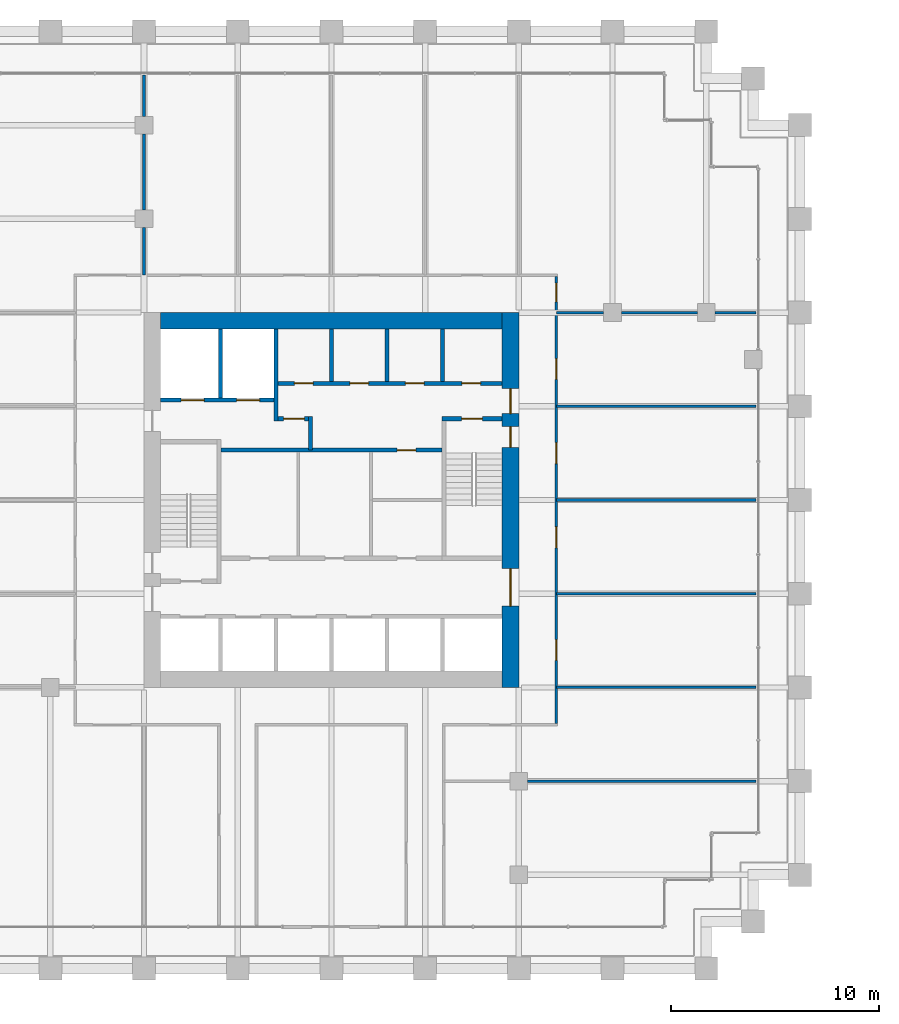
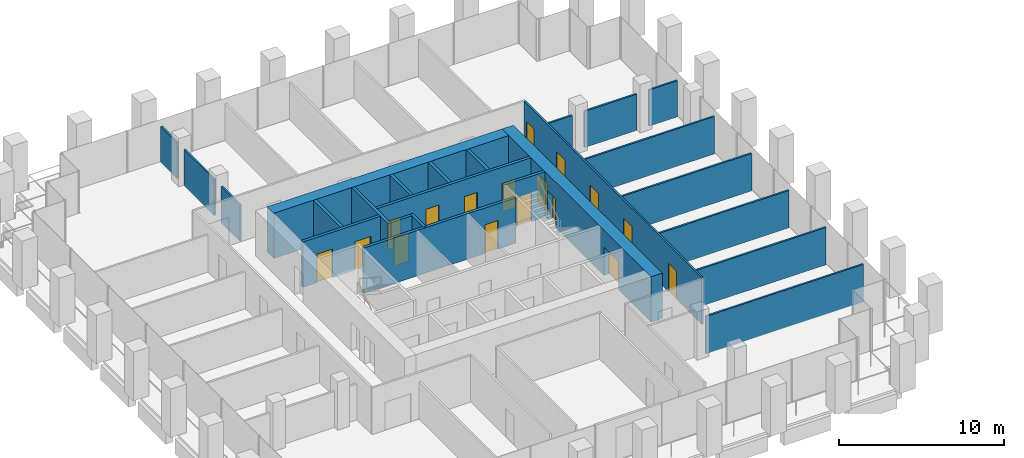
# One storey, part 51 of 56: 25 walls, 17 doors, 17 openings.
"""IFC4 building model written with IfcOpenShell, lengths in metres."""

from ifc_helpers import new_model, si_unit, direction, frame, frame_2d, origin, place, context, subcontext, project, spatial, rectangle, extrude, material, layer, layer_set, type_object, element, fill, save


model = new_model("IFC4")

# Units and contexts
model_context = context("Model", 3, precision=1e-05, world=origin(), true_north=direction((0.0, 1.0)))
body_context = subcontext(model_context, "Body", "Model", "MODEL_VIEW")
ifc_project = project(units=[si_unit("LENGTHUNIT", "METRE"), si_unit("AREAUNIT", "SQUARE_METRE"), si_unit("VOLUMEUNIT", "CUBIC_METRE"), si_unit("PLANEANGLEUNIT", "RADIAN"), si_unit("MASSUNIT", "GRAM", prefix="KILO")], contexts=[model_context])

# Site, building, storey
site_placement = place(None, origin())
site = spatial("IfcSite", under=ifc_project, at=site_placement, CompositionType="ELEMENT")
building_placement = place(site_placement, origin())
building = spatial("IfcBuilding", under=site, at=building_placement, Name="Altepetl Exchange Towers", CompositionType="ELEMENT")
storey_placement = place(building_placement, frame((0.0, 0.0, 76.199951171875)))
storey = spatial("IfcBuildingStorey", under=building, at=storey_placement, Name="L18", CompositionType="ELEMENT", Elevation=76.199951171875)

# Wall, openings, doors
ifc_material_1 = material(Name="Concrete C70/85", Category="concrete")
ifc_layer_1 = layer(ifc_material_1, 0.800048828125)
ifc_layer_set_1 = layer_set([ifc_layer_1], Name="Concrete C70/85")
wall_type_1 = type_object("IfcWallType", Name="Core wall 800 reinforced concrete", PredefinedType="SHEAR", material=ifc_layer_set_1)
wall_1_placement = place(storey_placement, frame((58.10009765625, 40.5, 0.0), z_axis=(0.0, 0.0, 1.0), x_axis=(0.0, 1.0, 0.0)))
wall_1 = element("IfcWall", 1, at=wall_1_placement, inside=storey, type_object=wall_type_1, Name="wall:A:L18:K-coreE", PredefinedType="SHEAR", context=body_context, shape_type="SweptSolid", body=[
    extrude(rectangle(XDim=18.0, YDim=0.800048828125, at=frame_2d((9.0, 0.0))), origin(), (0.0, 0.0, 1.0), 3.35009765625),
])
opening_1_placement = place(wall_1_placement, frame((13.14990234375, 0.0, 0.0)))
opening_1 = element("IfcOpeningElement", 2, at=opening_1_placement, cuts=wall_1, Name="Opening L18.A60", PredefinedType="OPENING", context=body_context, shape_type="SweptSolid", body=[
    extrude(rectangle(XDim=1.199951171875, YDim=2.10009765625, at=frame_2d((0.60009765625, 1.050048828125))), frame((0.0, 0.41015625, 0.0), z_axis=(0.0, -1.0, 0.0), x_axis=(1.0, 0.0, 0.0)), (0.0, 0.0, 1.0), 0.820068359375),
])
opening_2_placement = place(wall_1_placement, frame((3.89990234375, 0.0, 0.0)))
opening_2 = element("IfcOpeningElement", 3, at=opening_2_placement, cuts=wall_1, Name="Opening L18.A61", PredefinedType="OPENING", context=body_context, shape_type="SweptSolid", body=[
    extrude(rectangle(XDim=1.800048828125, YDim=2.10009765625, at=frame_2d((0.89990234375, 1.050048828125))), frame((0.0, 0.41015625, 0.0), z_axis=(0.0, -1.0, 0.0), x_axis=(1.0, 0.0, 0.0)), (0.0, 0.0, 1.0), 0.820068359375),
])
opening_3_placement = place(wall_1_placement, frame((11.52490234375, 0.0, 0.0)))
opening_3 = element("IfcOpeningElement", 4, at=opening_3_placement, cuts=wall_1, Name="Opening L18.A66", PredefinedType="OPENING", context=body_context, shape_type="SweptSolid", body=[
    extrude(rectangle(XDim=1.0, YDim=2.10009765625, at=frame_2d((0.5, 1.050048828125))), frame((0.0, 0.41015625, 0.0), z_axis=(0.0, -1.0, 0.0), x_axis=(1.0, 0.0, 0.0)), (0.0, 0.0, 1.0), 0.820068359375),
])
ifc_material_2 = material(Name="Steel and timber fire door", Category="steel")
door_type_1 = type_object("IfcDoorType", Name="Fire door 1000 x 2100 stair and lobby", OperationType="SINGLE_SWING_LEFT", PredefinedType="DOOR", material=ifc_material_2)
door_1_placement = place(opening_3_placement, origin())
door_1 = element("IfcDoor", 5, at=door_1_placement, inside=storey, type_object=door_type_1, Name="door:A:L18:K-dS2x", OperationType="SINGLE_SWING_RIGHT", OverallHeight=2.10009765625, OverallWidth=1.0, PredefinedType="DOOR", context=body_context, shape_type="SweptSolid", body=[
    extrude(rectangle(XDim=1.0, YDim=2.10009765625, at=frame_2d((0.5, 1.050048828125))), frame((0.0, 0.02490234375, 0.0), z_axis=(0.0, -1.0, 0.0), x_axis=(1.0, 0.0, 0.0)), (0.0, 0.0, 1.0), 0.050048828125),
])
fill(opening_3, door_1)
door_type_2 = type_object("IfcDoorType", Name="Fire door 1200 x 2100 lobby entry", OperationType="SINGLE_SWING_LEFT", PredefinedType="DOOR", material=ifc_material_2)
door_2_placement = place(opening_1_placement, origin())
door_2 = element("IfcDoor", 6, at=door_2_placement, inside=storey, type_object=door_type_2, Name="door:A:L18:K-dLNE", OperationType="SINGLE_SWING_RIGHT", OverallHeight=2.10009765625, OverallWidth=1.199951171875, PredefinedType="DOOR", context=body_context, shape_type="SweptSolid", body=[
    extrude(rectangle(XDim=1.199951171875, YDim=2.10009765625, at=frame_2d((0.60009765625, 1.050048828125))), frame((0.0, 0.02490234375, 0.0), z_axis=(0.0, -1.0, 0.0), x_axis=(1.0, 0.0, 0.0)), (0.0, 0.0, 1.0), 0.050048828125),
])
fill(opening_1, door_2)
door_type_3 = type_object("IfcDoorType", Name="Fire door 1800 x 2100 lobby entry", OperationType="DOUBLE_DOOR_SINGLE_SWING", PredefinedType="DOOR", material=ifc_material_2)
door_3_placement = place(opening_2_placement, origin())
door_3 = element("IfcDoor", 7, at=door_3_placement, inside=storey, type_object=door_type_3, Name="door:A:L18:K-dLSE", OperationType="DOUBLE_DOOR_SINGLE_SWING", OverallHeight=2.10009765625, OverallWidth=1.800048828125, PredefinedType="DOOR", context=body_context, shape_type="SweptSolid", body=[
    extrude(rectangle(XDim=1.800048828125, YDim=2.10009765625, at=frame_2d((0.89990234375, 1.050048828125))), frame((0.0, 0.02490234375, 0.0), z_axis=(0.0, -1.0, 0.0), x_axis=(1.0, 0.0, 0.0)), (0.0, 0.0, 1.0), 0.050048828125),
])
fill(opening_2, door_3)

# Walls
wall_2_placement = place(storey_placement, frame((41.300048828125, 58.10009765625, 0.0)))
element("IfcWall", 8, at=wall_2_placement, inside=storey, type_object=wall_type_1, Name="wall:A:L18:K-coreN", PredefinedType="SHEAR", context=body_context, shape_type="SweptSolid", body=[
    extrude(rectangle(XDim=16.39990234375, YDim=0.800048828125, at=frame_2d((8.199951171875, 0.0))), origin(), (0.0, 0.0, 1.0), 3.35009765625),
])
ifc_material_3 = material(Name="Concrete blockwork", Category="masonry")
ifc_layer_2 = layer(ifc_material_3, 0.199951171875)
ifc_layer_set_2 = layer_set([ifc_layer_2], Name="Concrete blockwork")
wall_type_2 = type_object("IfcWallType", Name="Lobby wall 200 blockwork", PredefinedType="PARTITIONING", material=ifc_layer_set_2)
wall_3_placement = place(storey_placement, frame((48.5, 51.89990234375, 0.0), z_axis=(0.0, 0.0, 1.0), x_axis=(0.0, 1.0, 0.0)))
element("IfcWall", 9, at=wall_3_placement, inside=storey, type_object=wall_type_2, Name="wall:A:L18:K-ffE", PredefinedType="PARTITIONING", context=body_context, shape_type="SweptSolid", body=[
    extrude(rectangle(XDim=1.60009765625, YDim=0.199951171875, at=frame_2d((0.800048828125, 0.0))), origin(), (0.0, 0.0, 1.0), 3.35009765625),
])

# Wall, opening, door
wall_4_placement = place(storey_placement, frame((46.933349609375, 53.39990234375, 0.0)))
wall_4 = element("IfcWall", 10, at=wall_4_placement, inside=storey, type_object=wall_type_2, Name="wall:A:L18:K-ffN", PredefinedType="PARTITIONING", context=body_context, shape_type="SweptSolid", body=[
    extrude(rectangle(XDim=1.466552734375, YDim=0.199951171875, at=frame_2d((0.7333984375, 0.0))), origin(), (0.0, 0.0, 1.0), 3.35009765625),
])
opening_4_placement = place(wall_4_placement, frame((0.2666015625, 0.0, 0.0)))
opening_4 = element("IfcOpeningElement", 11, at=opening_4_placement, cuts=wall_4, Name="Opening L18.A67", PredefinedType="OPENING", context=body_context, shape_type="SweptSolid", body=[
    extrude(rectangle(XDim=1.0, YDim=2.10009765625, at=frame_2d((0.5, 1.050048828125))), frame((0.0, 0.10986328125, 0.0), z_axis=(0.0, -1.0, 0.0), x_axis=(1.0, 0.0, 0.0)), (0.0, 0.0, 1.0), 0.219970703125),
])
door_4_placement = place(opening_4_placement, frame((1.0, 0.0, 0.0), x_axis=(-1.0, 0.0, 0.0)))
door_4 = element("IfcDoor", 12, at=door_4_placement, inside=storey, type_object=door_type_1, Name="door:A:L18:K-dffN", OperationType="SINGLE_SWING_RIGHT", OverallHeight=2.10009765625, OverallWidth=1.0, PredefinedType="DOOR", context=body_context, shape_type="SweptSolid", body=[
    extrude(rectangle(XDim=1.0, YDim=2.10009765625, at=frame_2d((0.5, 1.050048828125))), frame((0.0, 0.02490234375, 0.0), z_axis=(0.0, -1.0, 0.0), x_axis=(1.0, 0.0, 0.0)), (0.0, 0.0, 1.0), 0.050048828125),
])
fill(opening_4, door_4)

wall_5_placement = place(storey_placement, frame((44.199951171875, 51.89990234375, 0.0)))
wall_5 = element("IfcWall", 13, at=wall_5_placement, inside=storey, type_object=wall_type_2, Name="wall:A:L18:K-zoneN", PredefinedType="PARTITIONING", context=body_context, shape_type="SweptSolid", body=[
    extrude(rectangle(XDim=10.60009765625, YDim=0.199951171875, at=frame_2d((5.300048828125, 0.0))), origin(), (0.0, 0.0, 1.0), 3.35009765625),
])
opening_5_placement = place(wall_5_placement, frame((8.449951171875, 0.0, 0.0)))
opening_5 = element("IfcOpeningElement", 14, at=opening_5_placement, cuts=wall_5, Name="Opening L18.A76", PredefinedType="OPENING", context=body_context, shape_type="SweptSolid", body=[
    extrude(rectangle(XDim=0.89990234375, YDim=2.10009765625, at=frame_2d((0.449951171875, 1.050048828125))), frame((0.0, 0.10986328125, 0.0), z_axis=(0.0, -1.0, 0.0), x_axis=(1.0, 0.0, 0.0)), (0.0, 0.0, 1.0), 0.219970703125),
])
door_type_4 = type_object("IfcDoorType", Name="Fire door 900 x 2100 service room", OperationType="SINGLE_SWING_LEFT", PredefinedType="DOOR", material=ifc_material_2)
door_5_placement = place(opening_5_placement, frame((0.89990234375, 0.0, 0.0), x_axis=(-1.0, 0.0, 0.0)))
door_5 = element("IfcDoor", 15, at=door_5_placement, inside=storey, type_object=door_type_4, Name="door:A:L18:K-dz4", OperationType="SINGLE_SWING_LEFT", OverallHeight=2.10009765625, OverallWidth=0.89990234375, PredefinedType="DOOR", context=body_context, shape_type="SweptSolid", body=[
    extrude(rectangle(XDim=0.89990234375, YDim=2.10009765625, at=frame_2d((0.449951171875, 1.050048828125))), frame((0.0, 0.02490234375, 0.0), z_axis=(0.0, -1.0, 0.0), x_axis=(1.0, 0.0, 0.0)), (0.0, 0.0, 1.0), 0.050048828125),
])
fill(opening_5, door_5)

# Walls
ifc_material_4 = material(Name="Timber panels on aluminium track", Category="wood")
ifc_layer_3 = layer(ifc_material_4, 0.125)
ifc_layer_set_3 = layer_set([ifc_layer_3], Name="Timber panels on aluminium track")
wall_type_3 = type_object("IfcWallType", Name="Operable acoustic partition 125", PredefinedType="MOVABLE", material=ifc_layer_set_3)
for number, where, name in (
    (16, (60.300048828125, 40.5, 0.0), "wall:A:L18:P09"),
    (17, (60.300048828125, 45.0, 0.0), "wall:A:L18:P11"),
    (18, (60.300048828125, 49.5, 0.0), "wall:A:L18:P13"),
    (19, (60.300048828125, 54.0, 0.0), "wall:A:L18:P15"),
):
    element("IfcWall", number, at=place(storey_placement, frame(where)), inside=storey, type_object=wall_type_3, Name=name, PredefinedType="MOVABLE", context=body_context, shape_type="SweptSolid", body=[
        extrude(rectangle(XDim=9.599853515625, YDim=0.125, at=frame_2d((4.7998046875, 0.0))), origin(), (0.0, 0.0, 1.0), 2.76611328125),
    ])
ifc_material_5 = material(Name="Gypsum board on steel studs", Category="steel")
ifc_layer_4 = layer(ifc_material_5, 0.125)
ifc_layer_set_4 = layer_set([ifc_layer_4], Name="Gypsum board on steel studs")
wall_type_4 = type_object("IfcWallType", Name="Partition 125 gypsum board on steel studs", PredefinedType="PARTITIONING", material=ifc_layer_set_4)
wall_6_placement = place(storey_placement, frame((58.925048828125, 36.0, 0.0)))
element("IfcWall", 20, at=wall_6_placement, inside=storey, type_object=wall_type_4, Name="wall:A:L18:P02", PredefinedType="PARTITIONING", context=body_context, shape_type="SweptSolid", body=[
    extrude(rectangle(XDim=10.974853515625, YDim=0.125, at=frame_2d((5.4873046875, 0.0))), origin(), (0.0, 0.0, 1.0), 2.76611328125),
])
wall_7_placement = place(storey_placement, frame((60.300048828125, 58.5, 0.0)))
element("IfcWall", 21, at=wall_7_placement, inside=storey, type_object=wall_type_4, Name="wall:A:L18:P17", PredefinedType="PARTITIONING", context=body_context, shape_type="SweptSolid", body=[
    extrude(rectangle(XDim=2.27490234375, YDim=0.125, at=frame_2d((1.137451171875, 0.0))), origin(), (0.0, 0.0, 1.0), 2.676025390625),
])
wall_8_placement = place(storey_placement, frame((63.425048828125, 58.5, 0.0)))
element("IfcWall", 22, at=wall_8_placement, inside=storey, type_object=wall_type_4, Name="wall:A:L18:P18", PredefinedType="PARTITIONING", context=body_context, shape_type="SweptSolid", body=[
    extrude(rectangle(XDim=3.64990234375, YDim=0.125, at=frame_2d((1.824951171875, 0.0))), origin(), (0.0, 0.0, 1.0), 2.676025390625),
])
wall_9_placement = place(storey_placement, frame((67.925048828125, 58.5, 0.0)))
element("IfcWall", 23, at=wall_9_placement, inside=storey, type_object=wall_type_4, Name="wall:A:L18:P19", PredefinedType="PARTITIONING", context=body_context, shape_type="SweptSolid", body=[
    extrude(rectangle(XDim=1.974853515625, YDim=0.125, at=frame_2d((0.9873046875, 0.0))), origin(), (0.0, 0.0, 1.0), 2.676025390625),
])
wall_10_placement = place(storey_placement, frame((40.5, 60.300048828125, 0.0), z_axis=(0.0, 0.0, 1.0), x_axis=(0.0, 1.0, 0.0)))
element("IfcWall", 24, at=wall_10_placement, inside=storey, type_object=wall_type_4, Name="wall:A:L18:P23", PredefinedType="PARTITIONING", context=body_context, shape_type="SweptSolid", body=[
    extrude(rectangle(XDim=2.27490234375, YDim=0.125, at=frame_2d((1.137451171875, 0.0))), origin(), (0.0, 0.0, 1.0), 2.676025390625),
])
wall_11_placement = place(storey_placement, frame((40.5, 63.425048828125, 0.0), z_axis=(0.0, 0.0, 1.0), x_axis=(0.0, 1.0, 0.0)))
element("IfcWall", 25, at=wall_11_placement, inside=storey, type_object=wall_type_4, Name="wall:A:L18:P24", PredefinedType="PARTITIONING", context=body_context, shape_type="SweptSolid", body=[
    extrude(rectangle(XDim=3.64990234375, YDim=0.125, at=frame_2d((1.824951171875, 0.0))), origin(), (0.0, 0.0, 1.0), 2.676025390625),
])
wall_12_placement = place(storey_placement, frame((40.5, 67.925048828125, 0.0), z_axis=(0.0, 0.0, 1.0), x_axis=(0.0, 1.0, 0.0)))
element("IfcWall", 26, at=wall_12_placement, inside=storey, type_object=wall_type_4, Name="wall:A:L18:P25", PredefinedType="PARTITIONING", context=body_context, shape_type="SweptSolid", body=[
    extrude(rectangle(XDim=1.974853515625, YDim=0.125, at=frame_2d((0.9873046875, 0.0))), origin(), (0.0, 0.0, 1.0), 2.676025390625),
])

# Wall, openings, doors
wall_13_placement = place(storey_placement, frame((60.300048828125, 38.762451171875, 0.0), z_axis=(0.0, 0.0, 1.0), x_axis=(0.0, 1.0, 0.0)))
wall_13 = element("IfcWall", 27, at=wall_13_placement, inside=storey, type_object=wall_type_4, Name="wall:A:L18:P34", PredefinedType="PARTITIONING", context=body_context, shape_type="SweptSolid", body=[
    extrude(rectangle(XDim=21.47509765625, YDim=0.125, at=frame_2d((10.737548828125, 0.0))), origin(), (0.0, 0.0, 1.0), 3.449951171875),
])
opening_6_placement = place(wall_13_placement, frame((3.032470703125, 0.0, 0.0)))
opening_6 = element("IfcOpeningElement", 28, at=opening_6_placement, cuts=wall_13, Name="Opening L18.A08", PredefinedType="OPENING", context=body_context, shape_type="SweptSolid", body=[
    extrude(rectangle(XDim=1.0, YDim=2.10009765625, at=frame_2d((0.5, 1.050048828125))), frame((0.0, 0.072509765625, 0.0), z_axis=(0.0, -1.0, 0.0), x_axis=(1.0, 0.0, 0.0)), (0.0, 0.0, 1.0), 0.14501953125),
])
opening_7_placement = place(wall_13_placement, frame((8.4423828125, 0.0, 0.0)))
opening_7 = element("IfcOpeningElement", 29, at=opening_7_placement, cuts=wall_13, Name="Opening L18.A09", PredefinedType="OPENING", context=body_context, shape_type="SweptSolid", body=[
    extrude(rectangle(XDim=1.0, YDim=2.10009765625, at=frame_2d((0.5, 1.050048828125))), frame((0.0, 0.072509765625, 0.0), z_axis=(0.0, -1.0, 0.0), x_axis=(1.0, 0.0, 0.0)), (0.0, 0.0, 1.0), 0.14501953125),
])
opening_8_placement = place(wall_13_placement, frame((12.487548828125, 0.0, 0.0)))
opening_8 = element("IfcOpeningElement", 30, at=opening_8_placement, cuts=wall_13, Name="Opening L18.A10", PredefinedType="OPENING", context=body_context, shape_type="SweptSolid", body=[
    extrude(rectangle(XDim=1.0, YDim=2.10009765625, at=frame_2d((0.5, 1.050048828125))), frame((0.0, 0.072509765625, 0.0), z_axis=(0.0, -1.0, 0.0), x_axis=(1.0, 0.0, 0.0)), (0.0, 0.0, 1.0), 0.14501953125),
])
opening_9_placement = place(wall_13_placement, frame((16.532470703125, 0.0, 0.0)))
opening_9 = element("IfcOpeningElement", 31, at=opening_9_placement, cuts=wall_13, Name="Opening L18.A11", PredefinedType="OPENING", context=body_context, shape_type="SweptSolid", body=[
    extrude(rectangle(XDim=1.0, YDim=2.10009765625, at=frame_2d((0.5, 1.050048828125))), frame((0.0, 0.072509765625, 0.0), z_axis=(0.0, -1.0, 0.0), x_axis=(1.0, 0.0, 0.0)), (0.0, 0.0, 1.0), 0.14501953125),
])
opening_10_placement = place(wall_13_placement, frame((20.257568359375, 0.0, 0.0)))
opening_10 = element("IfcOpeningElement", 32, at=opening_10_placement, cuts=wall_13, Name="Opening L18.A12", PredefinedType="OPENING", context=body_context, shape_type="SweptSolid", body=[
    extrude(rectangle(XDim=0.89990234375, YDim=2.10009765625, at=frame_2d((0.449951171875, 1.050048828125))), frame((0.0, 0.072509765625, 0.0), z_axis=(0.0, -1.0, 0.0), x_axis=(1.0, 0.0, 0.0)), (0.0, 0.0, 1.0), 0.14501953125),
])
door_type_5 = type_object("IfcDoorType", Name="Fire door 1000 x 2100 single leaf", OperationType="SINGLE_SWING_LEFT", PredefinedType="DOOR", material=ifc_material_2)
door_6_placement = place(opening_6_placement, frame((1.0, 0.0, 0.0), x_axis=(-1.0, 0.0, 0.0)))
door_6 = element("IfcDoor", 33, at=door_6_placement, inside=storey, type_object=door_type_5, Name="door:A:L18:08", OperationType="SINGLE_SWING_RIGHT", OverallHeight=2.10009765625, OverallWidth=1.0, PredefinedType="DOOR", context=body_context, shape_type="SweptSolid", body=[
    extrude(rectangle(XDim=1.0, YDim=2.10009765625, at=frame_2d((0.5, 1.050048828125))), frame((0.0, 0.02490234375, 0.0), z_axis=(0.0, -1.0, 0.0), x_axis=(1.0, 0.0, 0.0)), (0.0, 0.0, 1.0), 0.050048828125),
])
fill(opening_6, door_6)
door_7_placement = place(opening_7_placement, frame((1.0, 0.0, 0.0), x_axis=(-1.0, 0.0, 0.0)))
door_7 = element("IfcDoor", 34, at=door_7_placement, inside=storey, type_object=door_type_5, Name="door:A:L18:09", OperationType="SINGLE_SWING_LEFT", OverallHeight=2.10009765625, OverallWidth=1.0, PredefinedType="DOOR", context=body_context, shape_type="SweptSolid", body=[
    extrude(rectangle(XDim=1.0, YDim=2.10009765625, at=frame_2d((0.5, 1.050048828125))), frame((0.0, 0.02490234375, 0.0), z_axis=(0.0, -1.0, 0.0), x_axis=(1.0, 0.0, 0.0)), (0.0, 0.0, 1.0), 0.050048828125),
])
fill(opening_7, door_7)
door_8_placement = place(opening_8_placement, frame((1.0, 0.0, 0.0), x_axis=(-1.0, 0.0, 0.0)))
door_8 = element("IfcDoor", 35, at=door_8_placement, inside=storey, type_object=door_type_5, Name="door:A:L18:10", OperationType="SINGLE_SWING_RIGHT", OverallHeight=2.10009765625, OverallWidth=1.0, PredefinedType="DOOR", context=body_context, shape_type="SweptSolid", body=[
    extrude(rectangle(XDim=1.0, YDim=2.10009765625, at=frame_2d((0.5, 1.050048828125))), frame((0.0, 0.02490234375, 0.0), z_axis=(0.0, -1.0, 0.0), x_axis=(1.0, 0.0, 0.0)), (0.0, 0.0, 1.0), 0.050048828125),
])
fill(opening_8, door_8)
door_9_placement = place(opening_9_placement, frame((1.0, 0.0, 0.0), x_axis=(-1.0, 0.0, 0.0)))
door_9 = element("IfcDoor", 36, at=door_9_placement, inside=storey, type_object=door_type_5, Name="door:A:L18:11", OperationType="SINGLE_SWING_RIGHT", OverallHeight=2.10009765625, OverallWidth=1.0, PredefinedType="DOOR", context=body_context, shape_type="SweptSolid", body=[
    extrude(rectangle(XDim=1.0, YDim=2.10009765625, at=frame_2d((0.5, 1.050048828125))), frame((0.0, 0.02490234375, 0.0), z_axis=(0.0, -1.0, 0.0), x_axis=(1.0, 0.0, 0.0)), (0.0, 0.0, 1.0), 0.050048828125),
])
fill(opening_9, door_9)
door_type_6 = type_object("IfcDoorType", Name="Fire door 900 x 2100 single leaf", OperationType="SINGLE_SWING_LEFT", PredefinedType="DOOR", material=ifc_material_2)
door_10_placement = place(opening_10_placement, frame((0.89990234375, 0.0, 0.0), x_axis=(-1.0, 0.0, 0.0)))
door_10 = element("IfcDoor", 37, at=door_10_placement, inside=storey, type_object=door_type_6, Name="door:A:L18:12", OperationType="SINGLE_SWING_LEFT", OverallHeight=2.10009765625, OverallWidth=0.89990234375, PredefinedType="DOOR", context=body_context, shape_type="SweptSolid", body=[
    extrude(rectangle(XDim=0.89990234375, YDim=2.10009765625, at=frame_2d((0.449951171875, 1.050048828125))), frame((0.0, 0.02490234375, 0.0), z_axis=(0.0, -1.0, 0.0), x_axis=(1.0, 0.0, 0.0)), (0.0, 0.0, 1.0), 0.050048828125),
])
fill(opening_10, door_10)

# Walls
ifc_material_6 = material(Name="Concrete C40/50", Category="concrete")
ifc_layer_5 = layer(ifc_material_6, 0.199951171875)
ifc_layer_set_5 = layer_set([ifc_layer_5], Name="Concrete C40/50")
wall_type_5 = type_object("IfcWallType", Name="Shaft wall 200 reinforced concrete", PredefinedType="SHEAR", material=ifc_layer_set_5)
wall_14_placement = place(storey_placement, frame((44.166748046875, 57.699951171875, 0.0), z_axis=(0.0, 0.0, 1.0), x_axis=(0.0, -1.0, 0.0)))
element("IfcWall", 38, at=wall_14_placement, inside=storey, type_object=wall_type_5, Name="wall:A:L18:K-divN1", PredefinedType="SHEAR", context=body_context, shape_type="SweptSolid", body=[
    extrude(rectangle(XDim=3.300048828125, YDim=0.199951171875, at=frame_2d((1.64990234375, 0.0))), origin(), (0.0, 0.0, 1.0), 3.35009765625),
])
wall_15_placement = place(storey_placement, frame((46.833251953125, 57.699951171875, 0.0), z_axis=(0.0, 0.0, 1.0), x_axis=(0.0, -1.0, 0.0)))
element("IfcWall", 39, at=wall_15_placement, inside=storey, type_object=wall_type_5, Name="wall:A:L18:K-divN2", PredefinedType="SHEAR", context=body_context, shape_type="SweptSolid", body=[
    extrude(rectangle(XDim=4.39990234375, YDim=0.199951171875, at=frame_2d((2.199951171875, 0.0))), origin(), (0.0, 0.0, 1.0), 3.35009765625),
])
for number, where, z_axis, x_axis, name in (
    (40, (49.5, 57.699951171875, 0.0), (0.0, 0.0, 1.0), (0.0, -1.0, 0.0), "wall:A:L18:K-divN3"),
    (41, (52.166748046875, 57.699951171875, 0.0), (0.0, 0.0, 1.0), (0.0, -1.0, 0.0), "wall:A:L18:K-divN4"),
    (42, (54.833251953125, 57.699951171875, 0.0), (0.0, 0.0, 1.0), (0.0, -1.0, 0.0), "wall:A:L18:K-divN5"),
):
    element("IfcWall", number, at=place(storey_placement, frame(where, z_axis=z_axis, x_axis=x_axis)), inside=storey, type_object=wall_type_5, Name=name, PredefinedType="SHEAR", context=body_context, shape_type="SweptSolid", body=[
        extrude(rectangle(XDim=2.5, YDim=0.199951171875, at=frame_2d((1.25, 0.0))), origin(), (0.0, 0.0, 1.0), 3.35009765625),
    ])

# Wall, openings, doors
wall_16_placement = place(storey_placement, frame((46.933349609375, 55.10009765625, 0.0)))
wall_16 = element("IfcWall", 43, at=wall_16_placement, inside=storey, type_object=wall_type_5, Name="wall:A:L18:K-frontNb", PredefinedType="SHEAR", context=body_context, shape_type="SweptSolid", body=[
    extrude(rectangle(XDim=10.7666015625, YDim=0.199951171875, at=frame_2d((5.38330078125, 0.0))), origin(), (0.0, 0.0, 1.0), 3.35009765625),
])
opening_11_placement = place(wall_16_placement, frame((8.83349609375, 0.0, 0.0)))
opening_11 = element("IfcOpeningElement", 44, at=opening_11_placement, cuts=wall_16, Name="Opening L18.A69", PredefinedType="OPENING", context=body_context, shape_type="SweptSolid", body=[
    extrude(rectangle(XDim=0.89990234375, YDim=2.10009765625, at=frame_2d((0.449951171875, 1.050048828125))), frame((0.0, 0.10986328125, 0.0), z_axis=(0.0, -1.0, 0.0), x_axis=(1.0, 0.0, 0.0)), (0.0, 0.0, 1.0), 0.219970703125),
])
opening_12_placement = place(wall_16_placement, frame((0.783447265625, 0.0, 0.0)))
opening_12 = element("IfcOpeningElement", 45, at=opening_12_placement, cuts=wall_16, Name="Opening L18.A70", PredefinedType="OPENING", context=body_context, shape_type="SweptSolid", body=[
    extrude(rectangle(XDim=0.89990234375, YDim=2.10009765625, at=frame_2d((0.449951171875, 1.050048828125))), frame((0.0, 0.10986328125, 0.0), z_axis=(0.0, -1.0, 0.0), x_axis=(1.0, 0.0, 0.0)), (0.0, 0.0, 1.0), 0.219970703125),
])
opening_13_placement = place(wall_16_placement, frame((3.449951171875, 0.0, 0.0)))
opening_13 = element("IfcOpeningElement", 46, at=opening_13_placement, cuts=wall_16, Name="Opening L18.A71", PredefinedType="OPENING", context=body_context, shape_type="SweptSolid", body=[
    extrude(rectangle(XDim=0.89990234375, YDim=2.10009765625, at=frame_2d((0.449951171875, 1.050048828125))), frame((0.0, 0.10986328125, 0.0), z_axis=(0.0, -1.0, 0.0), x_axis=(1.0, 0.0, 0.0)), (0.0, 0.0, 1.0), 0.219970703125),
])
opening_14_placement = place(wall_16_placement, frame((6.11669921875, 0.0, 0.0)))
opening_14 = element("IfcOpeningElement", 47, at=opening_14_placement, cuts=wall_16, Name="Opening L18.A72", PredefinedType="OPENING", context=body_context, shape_type="SweptSolid", body=[
    extrude(rectangle(XDim=0.89990234375, YDim=2.10009765625, at=frame_2d((0.449951171875, 1.050048828125))), frame((0.0, 0.10986328125, 0.0), z_axis=(0.0, -1.0, 0.0), x_axis=(1.0, 0.0, 0.0)), (0.0, 0.0, 1.0), 0.219970703125),
])
door_11_placement = place(opening_11_placement, origin())
door_11 = element("IfcDoor", 48, at=door_11_placement, inside=storey, type_object=door_type_4, Name="door:A:L18:K-driser", OperationType="SINGLE_SWING_RIGHT", OverallHeight=2.10009765625, OverallWidth=0.89990234375, PredefinedType="DOOR", context=body_context, shape_type="SweptSolid", body=[
    extrude(rectangle(XDim=0.89990234375, YDim=2.10009765625, at=frame_2d((0.449951171875, 1.050048828125))), frame((0.0, 0.02490234375, 0.0), z_axis=(0.0, -1.0, 0.0), x_axis=(1.0, 0.0, 0.0)), (0.0, 0.0, 1.0), 0.050048828125),
])
fill(opening_11, door_11)
door_12_placement = place(opening_12_placement, origin())
door_12 = element("IfcDoor", 49, at=door_12_placement, inside=storey, type_object=door_type_4, Name="door:A:L18:K-dslotN2", OperationType="SINGLE_SWING_RIGHT", OverallHeight=2.10009765625, OverallWidth=0.89990234375, PredefinedType="DOOR", context=body_context, shape_type="SweptSolid", body=[
    extrude(rectangle(XDim=0.89990234375, YDim=2.10009765625, at=frame_2d((0.449951171875, 1.050048828125))), frame((0.0, 0.02490234375, 0.0), z_axis=(0.0, -1.0, 0.0), x_axis=(1.0, 0.0, 0.0)), (0.0, 0.0, 1.0), 0.050048828125),
])
fill(opening_12, door_12)
door_13_placement = place(opening_13_placement, origin())
door_13 = element("IfcDoor", 50, at=door_13_placement, inside=storey, type_object=door_type_4, Name="door:A:L18:K-dslotN3", OperationType="SINGLE_SWING_RIGHT", OverallHeight=2.10009765625, OverallWidth=0.89990234375, PredefinedType="DOOR", context=body_context, shape_type="SweptSolid", body=[
    extrude(rectangle(XDim=0.89990234375, YDim=2.10009765625, at=frame_2d((0.449951171875, 1.050048828125))), frame((0.0, 0.02490234375, 0.0), z_axis=(0.0, -1.0, 0.0), x_axis=(1.0, 0.0, 0.0)), (0.0, 0.0, 1.0), 0.050048828125),
])
fill(opening_13, door_13)
door_14_placement = place(opening_14_placement, origin())
door_14 = element("IfcDoor", 51, at=door_14_placement, inside=storey, type_object=door_type_4, Name="door:A:L18:K-dslotN4", OperationType="SINGLE_SWING_RIGHT", OverallHeight=2.10009765625, OverallWidth=0.89990234375, PredefinedType="DOOR", context=body_context, shape_type="SweptSolid", body=[
    extrude(rectangle(XDim=0.89990234375, YDim=2.10009765625, at=frame_2d((0.449951171875, 1.050048828125))), frame((0.0, 0.02490234375, 0.0), z_axis=(0.0, -1.0, 0.0), x_axis=(1.0, 0.0, 0.0)), (0.0, 0.0, 1.0), 0.050048828125),
])
fill(opening_14, door_14)

wall_17_placement = place(storey_placement, frame((41.300048828125, 54.300048828125, 0.0)))
wall_17 = element("IfcWall", 52, at=wall_17_placement, inside=storey, type_object=wall_type_5, Name="wall:A:L18:K-frontNd", PredefinedType="SHEAR", context=body_context, shape_type="SweptSolid", body=[
    extrude(rectangle(XDim=5.433349609375, YDim=0.199951171875, at=frame_2d((2.716796875, 0.0))), origin(), (0.0, 0.0, 1.0), 3.35009765625),
])
opening_15_placement = place(wall_17_placement, frame((0.9833984375, 0.0, 0.0)))
opening_15 = element("IfcOpeningElement", 53, at=opening_15_placement, cuts=wall_17, Name="Opening L18.A77", PredefinedType="OPENING", context=body_context, shape_type="SweptSolid", body=[
    extrude(rectangle(XDim=1.10009765625, YDim=2.10009765625, at=frame_2d((0.550048828125, 1.050048828125))), frame((0.0, 0.10986328125, 0.0), z_axis=(0.0, -1.0, 0.0), x_axis=(1.0, 0.0, 0.0)), (0.0, 0.0, 1.0), 0.219970703125),
])
opening_16_placement = place(wall_17_placement, frame((3.64990234375, 0.0, 0.0)))
opening_16 = element("IfcOpeningElement", 54, at=opening_16_placement, cuts=wall_17, Name="Opening L18.A78", PredefinedType="OPENING", context=body_context, shape_type="SweptSolid", body=[
    extrude(rectangle(XDim=1.10009765625, YDim=2.10009765625, at=frame_2d((0.550048828125, 1.050048828125))), frame((0.0, 0.10986328125, 0.0), z_axis=(0.0, -1.0, 0.0), x_axis=(1.0, 0.0, 0.0)), (0.0, 0.0, 1.0), 0.219970703125),
])
ifc_material_7 = material(Name="Stainless steel", Category="steel")
door_type_7 = type_object("IfcDoorType", Name="Lift landing door 1100 x 2100", OperationType="SLIDING_TO_LEFT", PredefinedType="DOOR", material=ifc_material_7)
door_15_placement = place(opening_15_placement, origin())
door_15 = element("IfcDoor", 55, at=door_15_placement, inside=storey, type_object=door_type_7, Name="Landing door FFL1", OperationType="SLIDING_TO_LEFT", OverallHeight=2.10009765625, OverallWidth=1.10009765625, PredefinedType="DOOR", context=body_context, shape_type="SweptSolid", body=[
    extrude(rectangle(XDim=1.10009765625, YDim=2.10009765625, at=frame_2d((0.550048828125, 1.050048828125))), frame((0.0, 0.02490234375, 0.0), z_axis=(0.0, -1.0, 0.0), x_axis=(1.0, 0.0, 0.0)), (0.0, 0.0, 1.0), 0.050048828125),
])
fill(opening_15, door_15)
door_16_placement = place(opening_16_placement, origin())
door_16 = element("IfcDoor", 56, at=door_16_placement, inside=storey, type_object=door_type_7, Name="Landing door FFL2", OperationType="SLIDING_TO_LEFT", OverallHeight=2.10009765625, OverallWidth=1.10009765625, PredefinedType="DOOR", context=body_context, shape_type="SweptSolid", body=[
    extrude(rectangle(XDim=1.10009765625, YDim=2.10009765625, at=frame_2d((0.550048828125, 1.050048828125))), frame((0.0, 0.02490234375, 0.0), z_axis=(0.0, -1.0, 0.0), x_axis=(1.0, 0.0, 0.0)), (0.0, 0.0, 1.0), 0.050048828125),
])
fill(opening_16, door_16)

# Wall, opening, door
ifc_layer_6 = layer(ifc_material_6, 0.199951171875)
ifc_layer_set_6 = layer_set([ifc_layer_6], Name="Concrete C40/50")
wall_type_6 = type_object("IfcWallType", Name="Stair wall 200 reinforced concrete", PredefinedType="SHEAR", material=ifc_layer_set_6)
wall_18_placement = place(storey_placement, frame((54.800048828125, 53.39990234375, 0.0)))
wall_18 = element("IfcWall", 57, at=wall_18_placement, inside=storey, type_object=wall_type_6, Name="wall:A:L18:K-stS2N", PredefinedType="SHEAR", context=body_context, shape_type="SweptSolid", body=[
    extrude(rectangle(XDim=2.89990234375, YDim=0.199951171875, at=frame_2d((1.449951171875, 0.0))), origin(), (0.0, 0.0, 1.0), 3.35009765625),
])
opening_17_placement = place(wall_18_placement, frame((0.949951171875, 0.0, 0.0)))
opening_17 = element("IfcOpeningElement", 58, at=opening_17_placement, cuts=wall_18, Name="Opening L18.A65", PredefinedType="OPENING", context=body_context, shape_type="SweptSolid", body=[
    extrude(rectangle(XDim=1.0, YDim=2.10009765625, at=frame_2d((0.5, 1.050048828125))), frame((0.0, 0.10986328125, 0.0), z_axis=(0.0, -1.0, 0.0), x_axis=(1.0, 0.0, 0.0)), (0.0, 0.0, 1.0), 0.219970703125),
])
door_17_placement = place(opening_17_placement, frame((1.0, 0.0, 0.0), x_axis=(-1.0, 0.0, 0.0)))
door_17 = element("IfcDoor", 59, at=door_17_placement, inside=storey, type_object=door_type_1, Name="door:A:L18:K-dS2in", OperationType="SINGLE_SWING_LEFT", OverallHeight=2.10009765625, OverallWidth=1.0, PredefinedType="DOOR", context=body_context, shape_type="SweptSolid", body=[
    extrude(rectangle(XDim=1.0, YDim=2.10009765625, at=frame_2d((0.5, 1.050048828125))), frame((0.0, 0.02490234375, 0.0), z_axis=(0.0, -1.0, 0.0), x_axis=(1.0, 0.0, 0.0)), (0.0, 0.0, 1.0), 0.050048828125),
])
fill(opening_17, door_17)

save(model, "model.ifc")
